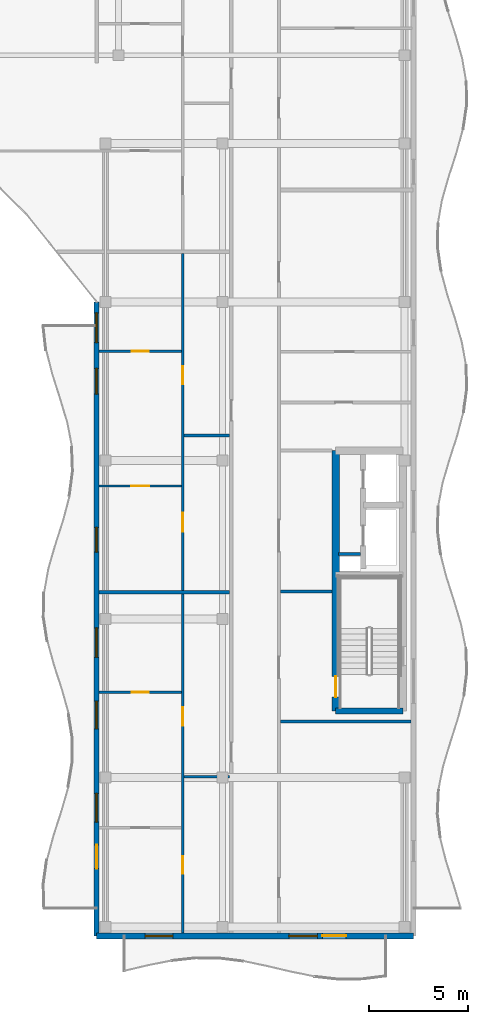
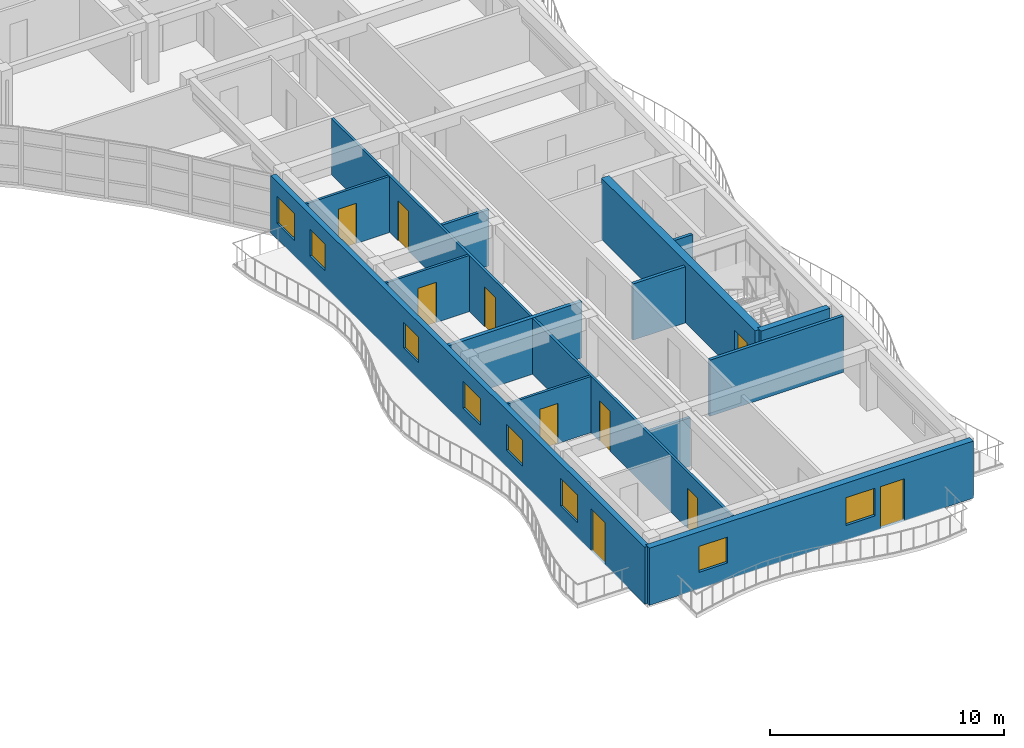
# One storey, part 41 of 68: 15 walls, 10 doors, 8 windows, 18 openings.
"""IFC4 building model written with IfcOpenShell, lengths in metres."""

from ifc_helpers import new_model, si_unit, direction, frame, frame_2d, origin, place, context, subcontext, project, spatial, rectangle, extrude, material, layer, layer_set, type_object, element, fill, save


model = new_model("IFC4")

# Units and contexts
model_context = context("Model", 3, precision=1e-05, world=origin(), true_north=direction((0.0, 1.0)))
body_context = subcontext(model_context, "Body", "Model", "MODEL_VIEW")
ifc_project = project(units=[si_unit("LENGTHUNIT", "METRE"), si_unit("AREAUNIT", "SQUARE_METRE"), si_unit("VOLUMEUNIT", "CUBIC_METRE"), si_unit("PLANEANGLEUNIT", "RADIAN"), si_unit("MASSUNIT", "GRAM", prefix="KILO")], contexts=[model_context])

# Site, building, storey
site_placement = place(None, origin())
site = spatial("IfcSite", under=ifc_project, at=site_placement, CompositionType="ELEMENT")
building_placement = place(site_placement, origin())
building = spatial("IfcBuilding", under=site, at=building_placement, Name="Keldmere Railside Commons", CompositionType="ELEMENT")
storey_placement = place(building_placement, frame((0.0, 0.0, 23.360107421875)))
storey = spatial("IfcBuildingStorey", under=building, at=storey_placement, Name="L07", CompositionType="ELEMENT", Elevation=23.360107421875)

# Wall
ifc_material_1 = material(Name="Acoustic Gypsum Board Partition", Category="gypsum")
ifc_layer_1 = layer(ifc_material_1, 0.179931640625, Name="Acoustic Demising Partition 180")
ifc_layer_set_1 = layer_set([ifc_layer_1], Name="Acoustic Gypsum Board Partition")
wall_type_1 = type_object("IfcWallType", Name="Acoustic Demising Partition 180", PredefinedType="PARTITIONING", material=ifc_layer_set_1)
wall_1_placement = place(storey_placement, frame((168.1298828125, 73.35009765625, 0.0), z_axis=(0.0, 0.0, 1.0), x_axis=(1.0, 0.0, 0.0)))
element("IfcWall", 1, at=wall_1_placement, inside=storey, type_object=wall_type_1, Name="IW-1 IW-L07-1690", PredefinedType="PARTITIONING", context=body_context, shape_type="SweptSolid", body=[
    extrude(rectangle(XDim=6.590087890625, YDim=0.179931640625, at=frame_2d((3.294921875, 0.0))), origin(), (0.0, 0.0, 1.0), 2.934814453125),
])

# Wall, openings, doors
ifc_layer_2 = layer(ifc_material_1, 0.1201171875, Name="Apartment Interior Partition 120")
ifc_layer_set_2 = layer_set([ifc_layer_2], Name="Acoustic Gypsum Board Partition")
wall_type_2 = type_object("IfcWallType", Name="Apartment Interior Partition 120", PredefinedType="PARTITIONING", material=ifc_layer_set_2)
wall_2_placement = place(storey_placement, frame((172.340087890625, 56.159912109375, 0.0), z_axis=(0.0, 0.0, 1.0), x_axis=(0.0, 1.0, 0.0)))
wall_2 = element("IfcWall", 2, at=wall_2_placement, inside=storey, type_object=wall_type_2, Name="IW-4 IW-L07-1692", PredefinedType="PARTITIONING", context=body_context, shape_type="SweptSolid", body=[
    extrude(rectangle(XDim=17.10009765625, YDim=0.1201171875, at=frame_2d((8.550048828125, 0.0))), origin(), (0.0, 0.0, 1.0), 2.934814453125),
])
opening_1_placement = place(wall_2_placement, frame((2.990478515625, 0.0, 0.0)))
opening_1 = element("IfcOpeningElement", 3, at=opening_1_placement, cuts=wall_2, Name="Opening ID-04", PredefinedType="OPENING", context=body_context, shape_type="SweptSolid", body=[
    extrude(rectangle(XDim=0.860107421875, YDim=2.10009765625, at=frame_2d((0.43017578125, 1.050048828125))), frame((0.0, 0.070068359375, 0.0), z_axis=(0.0, -1.0, 0.0), x_axis=(1.0, 0.0, 0.0)), (0.0, 0.0, 1.0), 0.14013671875),
])
opening_2_placement = place(wall_2_placement, frame((10.454345703125, 0.0, 0.0)))
opening_2 = element("IfcOpeningElement", 4, at=opening_2_placement, cuts=wall_2, Name="Opening ID-03", PredefinedType="OPENING", context=body_context, shape_type="SweptSolid", body=[
    extrude(rectangle(XDim=0.919921875, YDim=2.10009765625, at=frame_2d((0.4599609375, 1.050048828125))), frame((0.0, 0.070068359375, 0.0), z_axis=(0.0, -1.0, 0.0), x_axis=(1.0, 0.0, 0.0)), (0.0, 0.0, 1.0), 0.14013671875),
])
ifc_material_2 = material(Name="Engineered Oak Timber", Category="wood")
door_type_1 = type_object("IfcDoorType", Name="Apartment Bathroom Door 860x2100", OperationType="NOTDEFINED", PredefinedType="DOOR", material=ifc_material_2)
door_1_placement = place(opening_1_placement, origin())
door_1 = element("IfcDoor", 5, at=door_1_placement, inside=storey, type_object=door_type_1, Name="ID-04 IDR-L07-1533", OperationType="SINGLE_SWING_LEFT", OverallHeight=2.10009765625, OverallWidth=0.860107421875, PredefinedType="DOOR", context=body_context, shape_type="SweptSolid", body=[
    extrude(rectangle(XDim=0.860107421875, YDim=2.10009765625, at=frame_2d((0.43017578125, 1.050048828125))), frame((0.0, 0.02490234375, 0.0), z_axis=(0.0, -1.0, 0.0), x_axis=(1.0, 0.0, 0.0)), (0.0, 0.0, 1.0), 0.050048828125),
])
fill(opening_1, door_1)
door_type_2 = type_object("IfcDoorType", Name="Kitchen Pocket-Frame Swing Door 920x2100", OperationType="NOTDEFINED", PredefinedType="DOOR", material=ifc_material_2)
door_2_placement = place(opening_2_placement, origin())
door_2 = element("IfcDoor", 6, at=door_2_placement, inside=storey, type_object=door_type_2, Name="ID-03 IDR-L07-1534", OperationType="SINGLE_SWING_RIGHT", OverallHeight=2.10009765625, OverallWidth=0.919921875, PredefinedType="DOOR", context=body_context, shape_type="SweptSolid", body=[
    extrude(rectangle(XDim=0.919921875, YDim=2.10009765625, at=frame_2d((0.4599609375, 1.050048828125))), frame((0.0, 0.02490234375, 0.0), z_axis=(0.0, -1.0, 0.0), x_axis=(1.0, 0.0, 0.0)), (0.0, 0.0, 1.0), 0.050048828125),
])
fill(opening_2, door_2)

# Wall, opening, door
wall_3_placement = place(storey_placement, frame((168.1298828125, 68.300048828125, 0.0), z_axis=(0.0, 0.0, 1.0), x_axis=(1.0, 0.0, 0.0)))
wall_3 = element("IfcWall", 7, at=wall_3_placement, inside=storey, type_object=wall_type_2, Name="IW-4 IW-L07-1695", PredefinedType="PARTITIONING", context=body_context, shape_type="SweptSolid", body=[
    extrude(rectangle(XDim=4.150146484375, YDim=0.1201171875, at=frame_2d((2.0751953125, 0.0))), origin(), (0.0, 0.0, 1.0), 2.934814453125),
])
opening_3_placement = place(wall_3_placement, frame((1.635009765625, 0.0, 0.0)))
opening_3 = element("IfcOpeningElement", 8, at=opening_3_placement, cuts=wall_3, Name="Opening ID-02", PredefinedType="OPENING", context=body_context, shape_type="SweptSolid", body=[
    extrude(rectangle(XDim=0.8798828125, YDim=2.10009765625, at=frame_2d((0.43994140625, 1.050048828125))), frame((0.0, 0.070068359375, 0.0), z_axis=(0.0, -1.0, 0.0), x_axis=(1.0, 0.0, 0.0)), (0.0, 0.0, 1.0), 0.14013671875),
])
door_type_3 = type_object("IfcDoorType", Name="Secondary Bedroom Door 880x2100", OperationType="NOTDEFINED", PredefinedType="DOOR", material=ifc_material_2)
door_3_placement = place(opening_3_placement, origin())
door_3 = element("IfcDoor", 9, at=door_3_placement, inside=storey, type_object=door_type_3, Name="ID-02 IDR-L07-1537", OperationType="SINGLE_SWING_LEFT", OverallHeight=2.10009765625, OverallWidth=0.8798828125, PredefinedType="DOOR", context=body_context, shape_type="SweptSolid", body=[
    extrude(rectangle(XDim=0.8798828125, YDim=2.10009765625, at=frame_2d((0.43994140625, 1.050048828125))), frame((0.0, 0.02490234375, 0.0), z_axis=(0.0, -1.0, 0.0), x_axis=(1.0, 0.0, 0.0)), (0.0, 0.0, 1.0), 0.050048828125),
])
fill(opening_3, door_3)

# Wall, openings, doors
wall_4_placement = place(storey_placement, frame((172.340087890625, 73.43994140625, 0.0), z_axis=(0.0, 0.0, 1.0), x_axis=(0.0, 1.0, 0.0)))
wall_4 = element("IfcWall", 10, at=wall_4_placement, inside=storey, type_object=wall_type_2, Name="IW-4 IW-L07-1696", PredefinedType="PARTITIONING", context=body_context, shape_type="SweptSolid", body=[
    extrude(rectangle(XDim=17.010009765625, YDim=0.1201171875, at=frame_2d((8.5048828125, 0.0))), origin(), (0.0, 0.0, 1.0), 2.934814453125),
])
opening_4_placement = place(wall_4_placement, frame((2.9716796875, 0.0, 0.0)))
opening_4 = element("IfcOpeningElement", 11, at=opening_4_placement, cuts=wall_4, Name="Opening ID-05", PredefinedType="OPENING", context=body_context, shape_type="SweptSolid", body=[
    extrude(rectangle(XDim=0.93994140625, YDim=2.10009765625, at=frame_2d((0.469970703125, 1.050048828125))), frame((0.0, 0.070068359375, 0.0), z_axis=(0.0, -1.0, 0.0), x_axis=(1.0, 0.0, 0.0)), (0.0, 0.0, 1.0), 0.14013671875),
])
opening_5_placement = place(wall_4_placement, frame((10.393310546875, 0.0, 0.0)))
opening_5 = element("IfcOpeningElement", 12, at=opening_5_placement, cuts=wall_4, Name="Opening ID-03", PredefinedType="OPENING", context=body_context, shape_type="SweptSolid", body=[
    extrude(rectangle(XDim=0.919921875, YDim=2.10009765625, at=frame_2d((0.4599609375, 1.050048828125))), frame((0.0, 0.070068359375, 0.0), z_axis=(0.0, -1.0, 0.0), x_axis=(1.0, 0.0, 0.0)), (0.0, 0.0, 1.0), 0.14013671875),
])
door_type_4 = type_object("IfcDoorType", Name="Accessible Bathroom Door 940x2100", OperationType="NOTDEFINED", PredefinedType="DOOR", material=ifc_material_2)
door_4_placement = place(opening_4_placement, origin())
door_4 = element("IfcDoor", 13, at=door_4_placement, inside=storey, type_object=door_type_4, Name="ID-05 IDR-L07-1538", OperationType="SINGLE_SWING_RIGHT", OverallHeight=2.10009765625, OverallWidth=0.93994140625, PredefinedType="DOOR", context=body_context, shape_type="SweptSolid", body=[
    extrude(rectangle(XDim=0.93994140625, YDim=2.10009765625, at=frame_2d((0.469970703125, 1.050048828125))), frame((0.0, 0.02490234375, 0.0), z_axis=(0.0, -1.0, 0.0), x_axis=(1.0, 0.0, 0.0)), (0.0, 0.0, 1.0), 0.050048828125),
])
fill(opening_4, door_4)
door_5_placement = place(opening_5_placement, origin())
door_5 = element("IfcDoor", 14, at=door_5_placement, inside=storey, type_object=door_type_2, Name="ID-03 IDR-L07-1539", OperationType="SINGLE_SWING_LEFT", OverallHeight=2.10009765625, OverallWidth=0.919921875, PredefinedType="DOOR", context=body_context, shape_type="SweptSolid", body=[
    extrude(rectangle(XDim=0.919921875, YDim=2.10009765625, at=frame_2d((0.4599609375, 1.050048828125))), frame((0.0, 0.02490234375, 0.0), z_axis=(0.0, -1.0, 0.0), x_axis=(1.0, 0.0, 0.0)), (0.0, 0.0, 1.0), 0.050048828125),
])
fill(opening_5, door_5)

# Wall, opening, door
wall_5_placement = place(storey_placement, frame((168.1298828125, 78.7099609375, 0.0), z_axis=(0.0, 0.0, 1.0), x_axis=(1.0, 0.0, 0.0)))
wall_5 = element("IfcWall", 15, at=wall_5_placement, inside=storey, type_object=wall_type_2, Name="IW-4 IW-L07-1698", PredefinedType="PARTITIONING", context=body_context, shape_type="SweptSolid", body=[
    extrude(rectangle(XDim=4.150146484375, YDim=0.1201171875, at=frame_2d((2.0751953125, 0.0))), origin(), (0.0, 0.0, 1.0), 2.934814453125),
])
opening_6_placement = place(wall_5_placement, frame((1.625, 0.0, 0.0)))
opening_6 = element("IfcOpeningElement", 16, at=opening_6_placement, cuts=wall_5, Name="Opening ID-01", PredefinedType="OPENING", context=body_context, shape_type="SweptSolid", body=[
    extrude(rectangle(XDim=0.89990234375, YDim=2.10009765625, at=frame_2d((0.449951171875, 1.050048828125))), frame((0.0, 0.070068359375, 0.0), z_axis=(0.0, -1.0, 0.0), x_axis=(1.0, 0.0, 0.0)), (0.0, 0.0, 1.0), 0.14013671875),
])
door_type_5 = type_object("IfcDoorType", Name="Primary Bedroom Door 900x2100", OperationType="NOTDEFINED", PredefinedType="DOOR", material=ifc_material_2)
door_6_placement = place(opening_6_placement, origin())
door_6 = element("IfcDoor", 17, at=door_6_placement, inside=storey, type_object=door_type_5, Name="ID-01 IDR-L07-1541", OperationType="SINGLE_SWING_LEFT", OverallHeight=2.10009765625, OverallWidth=0.89990234375, PredefinedType="DOOR", context=body_context, shape_type="SweptSolid", body=[
    extrude(rectangle(XDim=0.89990234375, YDim=2.10009765625, at=frame_2d((0.449951171875, 1.050048828125))), frame((0.0, 0.02490234375, 0.0), z_axis=(0.0, -1.0, 0.0), x_axis=(1.0, 0.0, 0.0)), (0.0, 0.0, 1.0), 0.050048828125),
])
fill(opening_6, door_6)

wall_6_placement = place(storey_placement, frame((168.1298828125, 85.52001953125, 0.0), z_axis=(0.0, 0.0, 1.0), x_axis=(1.0, 0.0, 0.0)))
wall_6 = element("IfcWall", 18, at=wall_6_placement, inside=storey, type_object=wall_type_2, Name="IW-4 IW-L07-1699", PredefinedType="PARTITIONING", context=body_context, shape_type="SweptSolid", body=[
    extrude(rectangle(XDim=4.150146484375, YDim=0.1201171875, at=frame_2d((2.0751953125, 0.0))), origin(), (0.0, 0.0, 1.0), 2.934814453125),
])
opening_7_placement = place(wall_6_placement, frame((1.635009765625, 0.0, 0.0)))
opening_7 = element("IfcOpeningElement", 19, at=opening_7_placement, cuts=wall_6, Name="Opening ID-02", PredefinedType="OPENING", context=body_context, shape_type="SweptSolid", body=[
    extrude(rectangle(XDim=0.8798828125, YDim=2.10009765625, at=frame_2d((0.43994140625, 1.050048828125))), frame((0.0, 0.070068359375, 0.0), z_axis=(0.0, -1.0, 0.0), x_axis=(1.0, 0.0, 0.0)), (0.0, 0.0, 1.0), 0.14013671875),
])
door_7_placement = place(opening_7_placement, origin())
door_7 = element("IfcDoor", 20, at=door_7_placement, inside=storey, type_object=door_type_3, Name="ID-02 IDR-L07-1542", OperationType="SINGLE_SWING_RIGHT", OverallHeight=2.10009765625, OverallWidth=0.8798828125, PredefinedType="DOOR", context=body_context, shape_type="SweptSolid", body=[
    extrude(rectangle(XDim=0.8798828125, YDim=2.10009765625, at=frame_2d((0.43994140625, 1.050048828125))), frame((0.0, 0.02490234375, 0.0), z_axis=(0.0, -1.0, 0.0), x_axis=(1.0, 0.0, 0.0)), (0.0, 0.0, 1.0), 0.050048828125),
])
fill(opening_7, door_7)

ifc_material_3 = material(Name="Concrete H-40 (C40/50)", Category="concrete")
ifc_layer_3 = layer(ifc_material_3, 0.3798828125, Name="Core Shear Wall 380")
ifc_layer_set_3 = layer_set([ifc_layer_3], Name="Concrete H-40 (C40/50)")
wall_type_3 = type_object("IfcWallType", Name="Core Shear Wall 380", PredefinedType="SHEAR", material=ifc_layer_set_3)
wall_7_placement = place(storey_placement, frame((180.06005859375, 67.35009765625, 0.0), z_axis=(0.0, 0.0, 1.0), x_axis=(0.0, 1.0, 0.0)))
wall_7 = element("IfcWall", 21, at=wall_7_placement, inside=storey, type_object=wall_type_3, Name="CW-CORE COREAW-L07-0792", PredefinedType="SHEAR", context=body_context, shape_type="SweptSolid", body=[
    extrude(rectangle(XDim=13.14990234375, YDim=0.3798828125, at=frame_2d((6.574951171875, 0.0))), origin(), (0.0, 0.0, 1.0), 3.199951171875),
])
opening_8_placement = place(wall_7_placement, frame((0.699951171875, 0.0, 0.0)))
opening_8 = element("IfcOpeningElement", 22, at=opening_8_placement, cuts=wall_7, Name="Opening FD-1", PredefinedType="OPENING", context=body_context, shape_type="SweptSolid", body=[
    extrude(rectangle(XDim=1.050048828125, YDim=2.14990234375, at=frame_2d((0.52490234375, 1.074951171875))), frame((0.0, 0.199951171875, 0.0), z_axis=(0.0, -1.0, 0.0), x_axis=(1.0, 0.0, 0.0)), (0.0, 0.0, 1.0), 0.39990234375),
])
ifc_material_4 = material(Name="Steel F-24 (S235)", Category="steel")
door_type_6 = type_object("IfcDoorType", Name="Stair Core Fire Door 1050x2150", OperationType="NOTDEFINED", PredefinedType="DOOR", material=ifc_material_4)
door_8_placement = place(opening_8_placement, origin())
door_8 = element("IfcDoor", 23, at=door_8_placement, inside=storey, type_object=door_type_6, Name="FD-1 A1 L07", OperationType="SINGLE_SWING_LEFT", OverallHeight=2.14990234375, OverallWidth=1.050048828125, PredefinedType="DOOR", context=body_context, shape_type="SweptSolid", body=[
    extrude(rectangle(XDim=1.050048828125, YDim=2.14990234375, at=frame_2d((0.52490234375, 1.074951171875))), frame((0.0, 0.02490234375, 0.0), z_axis=(0.0, -1.0, 0.0), x_axis=(1.0, 0.0, 0.0)), (0.0, 0.0, 1.0), 0.050048828125),
])
fill(opening_8, door_8)

# Wall, openings, door, windows
ifc_material_5 = material(Name="Concrete H-35 (C35/45)", Category="concrete")
ifc_layer_4 = layer(ifc_material_5, 0.320068359375, Name="Exterior Shear Wall 320")
ifc_layer_set_4 = layer_set([ifc_layer_4], Name="Concrete H-35 (C35/45)")
wall_type_4 = type_object("IfcWallType", Name="Exterior Shear Wall 320", PredefinedType="SHEAR", material=ifc_layer_set_4)
wall_8_placement = place(storey_placement, frame((184.0, 56.0, 0.0), z_axis=(0.0, 0.0, 1.0), x_axis=(-1.0, 0.0, 0.0)))
wall_8 = element("IfcWall", 24, at=wall_8_placement, inside=storey, type_object=wall_type_4, Name="ESW-2 EXTA-L07-0924", PredefinedType="SHEAR", context=body_context, shape_type="SweptSolid", body=[
    extrude(rectangle(XDim=16.0, YDim=0.320068359375, at=frame_2d((8.0, 0.0))), origin(), (0.0, 0.0, 1.0), 2.97998046875),
])
opening_9_placement = place(wall_8_placement, frame((3.39990234375, 0.0, 0.0)))
opening_9 = element("IfcOpeningElement", 25, at=opening_9_placement, cuts=wall_8, Name="Opening BD-01", PredefinedType="OPENING", context=body_context, shape_type="SweptSolid", body=[
    extrude(rectangle(XDim=1.199951171875, YDim=2.199951171875, at=frame_2d((0.60009765625, 1.10009765625))), frame((0.0, 0.169921875, 0.0), z_axis=(0.0, -1.0, 0.0), x_axis=(1.0, 0.0, 0.0)), (0.0, 0.0, 1.0), 0.340087890625),
])
opening_10_placement = place(wall_8_placement, frame((4.85009765625, 0.0, 0.77001953125)))
opening_10 = element("IfcOpeningElement", 26, at=opening_10_placement, cuts=wall_8, Name="Opening WN-24", PredefinedType="OPENING", context=body_context, shape_type="SweptSolid", body=[
    extrude(rectangle(XDim=1.449951171875, YDim=1.449951171875, at=frame_2d((0.72509765625, 0.72509765625))), frame((0.0, 0.169921875, 0.0), z_axis=(0.0, -1.0, 0.0), x_axis=(1.0, 0.0, 0.0)), (0.0, 0.0, 1.0), 0.340087890625),
])
opening_11_placement = place(wall_8_placement, frame((12.14990234375, 0.0, 0.8701171875)))
opening_11 = element("IfcOpeningElement", 27, at=opening_11_placement, cuts=wall_8, Name="Opening WN-08", PredefinedType="OPENING", context=body_context, shape_type="SweptSolid", body=[
    extrude(rectangle(XDim=1.39990234375, YDim=1.35009765625, at=frame_2d((0.699951171875, 0.675048828125))), frame((0.0, 0.169921875, 0.0), z_axis=(0.0, -1.0, 0.0), x_axis=(1.0, 0.0, 0.0)), (0.0, 0.0, 1.0), 0.340087890625),
])
ifc_material_6 = material(Name="Thermally Broken Aluminium", Category="aluminium")
door_type_7 = type_object("IfcDoorType", Name="Apartment Living Wave-Balcony Glazed Door 1200x2200", OperationType="NOTDEFINED", PredefinedType="DOOR", material=ifc_material_6)
door_9_placement = place(opening_9_placement, origin())
door_9 = element("IfcDoor", 28, at=door_9_placement, inside=storey, type_object=door_type_7, Name="BD-01 DR-L07-0256", OperationType="SINGLE_SWING_RIGHT", OverallHeight=2.199951171875, OverallWidth=1.199951171875, PredefinedType="DOOR", context=body_context, shape_type="SweptSolid", body=[
    extrude(rectangle(XDim=1.199951171875, YDim=2.199951171875, at=frame_2d((0.60009765625, 1.10009765625))), frame((0.0, 0.02490234375, 0.0), z_axis=(0.0, -1.0, 0.0), x_axis=(1.0, 0.0, 0.0)), (0.0, 0.0, 1.0), 0.050048828125),
])
fill(opening_9, door_9)
ifc_material_7 = material(Name="Low-E Insulated Double Glazing", Category="glass")
window_type_1 = type_object("IfcWindowType", Name="Primary Bedroom East/West Window 1400x1350", PartitioningType="SINGLE_PANEL", PredefinedType="WINDOW", material=ifc_material_7)
window_1_placement = place(opening_11_placement, origin())
window_1 = element("IfcWindow", 29, at=window_1_placement, inside=storey, type_object=window_type_1, Name="WN-08 WIN-L07-0702", OverallHeight=1.35009765625, OverallWidth=1.39990234375, PartitioningType="SINGLE_PANEL", PredefinedType="WINDOW", context=body_context, shape_type="SweptSolid", body=[
    extrude(rectangle(XDim=1.39990234375, YDim=1.35009765625, at=frame_2d((0.699951171875, 0.675048828125))), frame((0.0, 0.030029296875, 0.0), z_axis=(0.0, -1.0, 0.0), x_axis=(1.0, 0.0, 0.0)), (0.0, 0.0, 1.0), 0.06005859375),
])
fill(opening_11, window_1)
window_type_2 = type_object("IfcWindowType", Name="Setback Terrace Bedroom Window 1450x1450", PartitioningType="SINGLE_PANEL", PredefinedType="WINDOW", material=ifc_material_7)
window_2_placement = place(opening_10_placement, origin())
window_2 = element("IfcWindow", 30, at=window_2_placement, inside=storey, type_object=window_type_2, Name="WN-24 WIN-L07-0701", OverallHeight=1.449951171875, OverallWidth=1.449951171875, PartitioningType="SINGLE_PANEL", PredefinedType="WINDOW", context=body_context, shape_type="SweptSolid", body=[
    extrude(rectangle(XDim=1.449951171875, YDim=1.449951171875, at=frame_2d((0.72509765625, 0.72509765625))), frame((0.0, 0.030029296875, 0.0), z_axis=(0.0, -1.0, 0.0), x_axis=(1.0, 0.0, 0.0)), (0.0, 0.0, 1.0), 0.06005859375),
])
fill(opening_10, window_2)

# Walls
ifc_layer_5 = layer(ifc_material_5, 0.300048828125, Name="Interior Shear Wall 300")
ifc_layer_set_5 = layer_set([ifc_layer_5], Name="Concrete H-35 (C35/45)")
wall_type_5 = type_object("IfcWallType", Name="Interior Shear Wall 300", PredefinedType="SHEAR", material=ifc_layer_set_5)
wall_9_placement = place(storey_placement, frame((183.469970703125, 67.35009765625, 0.0), z_axis=(0.0, 0.0, 1.0), x_axis=(-1.0, 0.0, 0.0)))
element("IfcWall", 31, at=wall_9_placement, inside=storey, type_object=wall_type_5, Name="ISW-2 COREAS-L07-0795", PredefinedType="SHEAR", context=body_context, shape_type="SweptSolid", body=[
    extrude(rectangle(XDim=3.409912109375, YDim=0.300048828125, at=frame_2d((1.705078125, 0.0))), origin(), (0.0, 0.0, 1.0), 3.199951171875),
])
ifc_layer_6 = layer(ifc_material_1, 0.14990234375, Name="Lobby Rated Partition 150")
ifc_layer_set_6 = layer_set([ifc_layer_6], Name="Acoustic Gypsum Board Partition")
wall_type_6 = type_object("IfcWallType", Name="Lobby Rated Partition 150", PredefinedType="PARTITIONING", material=ifc_layer_set_6)
wall_10_placement = place(storey_placement, frame((180.199951171875, 75.280029296875, 0.0), z_axis=(0.0, 0.0, 1.0), x_axis=(1.0, 0.0, 0.0)))
element("IfcWall", 32, at=wall_10_placement, inside=storey, type_object=wall_type_6, Name="IW-3 RSRNA-L07-0799", PredefinedType="PARTITIONING", context=body_context, shape_type="SweptSolid", body=[
    extrude(rectangle(XDim=1.130126953125, YDim=0.14990234375, at=frame_2d((0.56494140625, 0.0))), origin(), (0.0, 0.0, 1.0), 2.949951171875),
])
wall_11_placement = place(storey_placement, frame((177.280029296875, 66.820068359375, 0.0), z_axis=(0.0, 0.0, 1.0), x_axis=(1.0, 0.0, 0.0)))
element("IfcWall", 33, at=wall_11_placement, inside=storey, type_object=wall_type_6, Name="IW-3 IW-L07-1679", PredefinedType="PARTITIONING", context=body_context, shape_type="SweptSolid", body=[
    extrude(rectangle(XDim=6.590087890625, YDim=0.14990234375, at=frame_2d((3.294921875, 0.0))), origin(), (0.0, 0.0, 1.0), 2.934814453125),
])
wall_12_placement = place(storey_placement, frame((177.280029296875, 73.3798828125, 0.0), z_axis=(0.0, 0.0, 1.0), x_axis=(1.0, 0.0, 0.0)))
element("IfcWall", 34, at=wall_12_placement, inside=storey, type_object=wall_type_6, Name="IW-3 IW-L07-1680", PredefinedType="PARTITIONING", context=body_context, shape_type="SweptSolid", body=[
    extrude(rectangle(XDim=2.590087890625, YDim=0.14990234375, at=frame_2d((1.294921875, 0.0))), origin(), (0.0, 0.0, 1.0), 2.934814453125),
])

# Wall, openings, door, windows
ifc_material_8 = material(Name="Terracotta Brick Masonry", Category="masonry")
ifc_layer_7 = layer(ifc_material_8, 0.260009765625, Name="Terracotta Cavity Wall 260")
ifc_layer_set_7 = layer_set([ifc_layer_7], Name="Terracotta Brick Masonry")
wall_type_7 = type_object("IfcWallType", Name="Terracotta Cavity Wall 260", PredefinedType="SOLIDWALL", material=ifc_layer_set_7)
wall_13_placement = place(storey_placement, frame((168.0, 56.0, 0.0), z_axis=(0.0, 0.0, 1.0), x_axis=(0.0, 1.0, 0.0)))
wall_13 = element("IfcWall", 35, at=wall_13_placement, inside=storey, type_object=wall_type_7, Name="EW-1 EXTA-L07-0929", PredefinedType="SOLIDWALL", context=body_context, shape_type="SweptSolid", body=[
    extrude(rectangle(XDim=32.0, YDim=0.260009765625, at=frame_2d((16.0, 0.0))), origin(), (0.0, 0.0, 1.0), 2.97998046875),
])
opening_12_placement = place(wall_13_placement, frame((3.39990234375, 0.0, 0.0)))
opening_12 = element("IfcOpeningElement", 36, at=opening_12_placement, cuts=wall_13, Name="Opening BD-01", PredefinedType="OPENING", context=body_context, shape_type="SweptSolid", body=[
    extrude(rectangle(XDim=1.199951171875, YDim=2.199951171875, at=frame_2d((0.60009765625, 1.10009765625))), frame((0.0, 0.139892578125, 0.0), z_axis=(0.0, -1.0, 0.0), x_axis=(1.0, 0.0, 0.0)), (0.0, 0.0, 1.0), 0.280029296875),
])
opening_13_placement = place(wall_13_placement, frame((5.75, 0.0, 0.77001953125)))
opening_13 = element("IfcOpeningElement", 37, at=opening_13_placement, cuts=wall_13, Name="Opening WN-24", PredefinedType="OPENING", context=body_context, shape_type="SweptSolid", body=[
    extrude(rectangle(XDim=1.449951171875, YDim=1.449951171875, at=frame_2d((0.72509765625, 0.72509765625))), frame((0.0, 0.139892578125, 0.0), z_axis=(0.0, -1.0, 0.0), x_axis=(1.0, 0.0, 0.0)), (0.0, 0.0, 1.0), 0.280029296875),
])
opening_14_placement = place(wall_13_placement, frame((10.449951171875, 0.0, 0.8701171875)))
opening_14 = element("IfcOpeningElement", 38, at=opening_14_placement, cuts=wall_13, Name="Opening WN-08", PredefinedType="OPENING", context=body_context, shape_type="SweptSolid", body=[
    extrude(rectangle(XDim=1.39990234375, YDim=1.35009765625, at=frame_2d((0.699951171875, 0.675048828125))), frame((0.0, 0.139892578125, 0.0), z_axis=(0.0, -1.0, 0.0), x_axis=(1.0, 0.0, 0.0)), (0.0, 0.0, 1.0), 0.280029296875),
])
opening_15_placement = place(wall_13_placement, frame((19.375, 0.0, 0.8701171875)))
opening_15 = element("IfcOpeningElement", 39, at=opening_15_placement, cuts=wall_13, Name="Opening WN-09", PredefinedType="OPENING", context=body_context, shape_type="SweptSolid", body=[
    extrude(rectangle(XDim=1.25, YDim=1.35009765625, at=frame_2d((0.625, 0.675048828125))), frame((0.0, 0.139892578125, 0.0), z_axis=(0.0, -1.0, 0.0), x_axis=(1.0, 0.0, 0.0)), (0.0, 0.0, 1.0), 0.280029296875),
])
opening_16_placement = place(wall_13_placement, frame((27.35009765625, 0.0, 0.820068359375)))
opening_16 = element("IfcOpeningElement", 40, at=opening_16_placement, cuts=wall_13, Name="Opening WN-10", PredefinedType="OPENING", context=body_context, shape_type="SweptSolid", body=[
    extrude(rectangle(XDim=1.300048828125, YDim=1.39990234375, at=frame_2d((0.64990234375, 0.699951171875))), frame((0.0, 0.139892578125, 0.0), z_axis=(0.0, -1.0, 0.0), x_axis=(1.0, 0.0, 0.0)), (0.0, 0.0, 1.0), 0.280029296875),
])
opening_17_placement = place(wall_13_placement, frame((14.054931640625, 0.0, 0.820068359375)))
opening_17 = element("IfcOpeningElement", 41, at=opening_17_placement, cuts=wall_13, Name="Opening WN-06", PredefinedType="OPENING", context=body_context, shape_type="SweptSolid", body=[
    extrude(rectangle(XDim=1.5, YDim=1.39990234375, at=frame_2d((0.75, 0.699951171875))), frame((0.0, 0.139892578125, 0.0), z_axis=(0.0, -1.0, 0.0), x_axis=(1.0, 0.0, 0.0)), (0.0, 0.0, 1.0), 0.280029296875),
])
opening_18_placement = place(wall_13_placement, frame((29.945068359375, 0.0, 0.820068359375)))
opening_18 = element("IfcOpeningElement", 42, at=opening_18_placement, cuts=wall_13, Name="Opening WN-06", PredefinedType="OPENING", context=body_context, shape_type="SweptSolid", body=[
    extrude(rectangle(XDim=1.5, YDim=1.39990234375, at=frame_2d((0.75, 0.699951171875))), frame((0.0, 0.139892578125, 0.0), z_axis=(0.0, -1.0, 0.0), x_axis=(1.0, 0.0, 0.0)), (0.0, 0.0, 1.0), 0.280029296875),
])
door_10_placement = place(opening_12_placement, origin())
door_10 = element("IfcDoor", 43, at=door_10_placement, inside=storey, type_object=door_type_7, Name="BD-01 DR-L07-0261", OperationType="SINGLE_SWING_LEFT", OverallHeight=2.199951171875, OverallWidth=1.199951171875, PredefinedType="DOOR", context=body_context, shape_type="SweptSolid", body=[
    extrude(rectangle(XDim=1.199951171875, YDim=2.199951171875, at=frame_2d((0.60009765625, 1.10009765625))), frame((0.0, 0.02490234375, 0.0), z_axis=(0.0, -1.0, 0.0), x_axis=(1.0, 0.0, 0.0)), (0.0, 0.0, 1.0), 0.050048828125),
])
fill(opening_12, door_10)
window_3_placement = place(opening_14_placement, origin())
window_3 = element("IfcWindow", 44, at=window_3_placement, inside=storey, type_object=window_type_1, Name="WN-08 WIN-L07-0717", OverallHeight=1.35009765625, OverallWidth=1.39990234375, PartitioningType="SINGLE_PANEL", PredefinedType="WINDOW", context=body_context, shape_type="SweptSolid", body=[
    extrude(rectangle(XDim=1.39990234375, YDim=1.35009765625, at=frame_2d((0.699951171875, 0.675048828125))), frame((0.0, 0.030029296875, 0.0), z_axis=(0.0, -1.0, 0.0), x_axis=(1.0, 0.0, 0.0)), (0.0, 0.0, 1.0), 0.06005859375),
])
fill(opening_14, window_3)
window_type_3 = type_object("IfcWindowType", Name="Primary Bedroom North Window 1500x1400", PartitioningType="SINGLE_PANEL", PredefinedType="WINDOW", material=ifc_material_7)
window_4_placement = place(opening_17_placement, origin())
window_4 = element("IfcWindow", 45, at=window_4_placement, inside=storey, type_object=window_type_3, Name="WN-06 WIN-L07-9064", OverallHeight=1.39990234375, OverallWidth=1.5, PartitioningType="SINGLE_PANEL", PredefinedType="WINDOW", context=body_context, shape_type="SweptSolid", body=[
    extrude(rectangle(XDim=1.5, YDim=1.39990234375, at=frame_2d((0.75, 0.699951171875))), frame((0.0, 0.030029296875, 0.0), z_axis=(0.0, -1.0, 0.0), x_axis=(1.0, 0.0, 0.0)), (0.0, 0.0, 1.0), 0.06005859375),
])
fill(opening_17, window_4)
window_5_placement = place(opening_18_placement, origin())
window_5 = element("IfcWindow", 46, at=window_5_placement, inside=storey, type_object=window_type_3, Name="WN-06 WIN-L07-9065", OverallHeight=1.39990234375, OverallWidth=1.5, PartitioningType="SINGLE_PANEL", PredefinedType="WINDOW", context=body_context, shape_type="SweptSolid", body=[
    extrude(rectangle(XDim=1.5, YDim=1.39990234375, at=frame_2d((0.75, 0.699951171875))), frame((0.0, 0.030029296875, 0.0), z_axis=(0.0, -1.0, 0.0), x_axis=(1.0, 0.0, 0.0)), (0.0, 0.0, 1.0), 0.06005859375),
])
fill(opening_18, window_5)
window_type_4 = type_object("IfcWindowType", Name="Secondary Bedroom Court Window 1300x1400", PartitioningType="SINGLE_PANEL", PredefinedType="WINDOW", material=ifc_material_7)
window_6_placement = place(opening_16_placement, origin())
window_6 = element("IfcWindow", 47, at=window_6_placement, inside=storey, type_object=window_type_4, Name="WN-10 WIN-L07-0719", OverallHeight=1.39990234375, OverallWidth=1.300048828125, PartitioningType="SINGLE_PANEL", PredefinedType="WINDOW", context=body_context, shape_type="SweptSolid", body=[
    extrude(rectangle(XDim=1.300048828125, YDim=1.39990234375, at=frame_2d((0.64990234375, 0.699951171875))), frame((0.0, 0.030029296875, 0.0), z_axis=(0.0, -1.0, 0.0), x_axis=(1.0, 0.0, 0.0)), (0.0, 0.0, 1.0), 0.06005859375),
])
fill(opening_16, window_6)
window_type_5 = type_object("IfcWindowType", Name="Secondary Bedroom Window 1250x1350", PartitioningType="SINGLE_PANEL", PredefinedType="WINDOW", material=ifc_material_7)
window_7_placement = place(opening_15_placement, origin())
window_7 = element("IfcWindow", 48, at=window_7_placement, inside=storey, type_object=window_type_5, Name="WN-09 WIN-L07-0718", OverallHeight=1.35009765625, OverallWidth=1.25, PartitioningType="SINGLE_PANEL", PredefinedType="WINDOW", context=body_context, shape_type="SweptSolid", body=[
    extrude(rectangle(XDim=1.25, YDim=1.35009765625, at=frame_2d((0.625, 0.675048828125))), frame((0.0, 0.030029296875, 0.0), z_axis=(0.0, -1.0, 0.0), x_axis=(1.0, 0.0, 0.0)), (0.0, 0.0, 1.0), 0.06005859375),
])
fill(opening_15, window_7)
window_8_placement = place(opening_13_placement, origin())
window_8 = element("IfcWindow", 49, at=window_8_placement, inside=storey, type_object=window_type_2, Name="WN-24 WIN-L07-0716", OverallHeight=1.449951171875, OverallWidth=1.449951171875, PartitioningType="SINGLE_PANEL", PredefinedType="WINDOW", context=body_context, shape_type="SweptSolid", body=[
    extrude(rectangle(XDim=1.449951171875, YDim=1.449951171875, at=frame_2d((0.72509765625, 0.72509765625))), frame((0.0, 0.030029296875, 0.0), z_axis=(0.0, -1.0, 0.0), x_axis=(1.0, 0.0, 0.0)), (0.0, 0.0, 1.0), 0.06005859375),
])
fill(opening_13, window_8)

# Walls
ifc_layer_8 = layer(ifc_material_1, 0.139892578125, Name="Wet-Room Sanitary Partition 140")
ifc_layer_set_8 = layer_set([ifc_layer_8], Name="Acoustic Gypsum Board Partition")
wall_type_8 = type_object("IfcWallType", Name="Wet-Room Sanitary Partition 140", PredefinedType="PARTITIONING", material=ifc_layer_set_8)
wall_14_placement = place(storey_placement, frame((172.39990234375, 64.030029296875, 0.0), z_axis=(0.0, 0.0, 1.0), x_axis=(1.0, 0.0, 0.0)))
element("IfcWall", 50, at=wall_14_placement, inside=storey, type_object=wall_type_8, Name="IW-5 IW-L07-1693", PredefinedType="PARTITIONING", context=body_context, shape_type="SweptSolid", body=[
    extrude(rectangle(XDim=2.320068359375, YDim=0.139892578125, at=frame_2d((1.16015625, 0.0))), origin(), (0.0, 0.0, 1.0), 2.52978515625),
])
wall_15_placement = place(storey_placement, frame((172.39990234375, 81.260009765625, 0.0), z_axis=(0.0, 0.0, 1.0), x_axis=(1.0, 0.0, 0.0)))
element("IfcWall", 51, at=wall_15_placement, inside=storey, type_object=wall_type_8, Name="IW-5 IW-L07-1697", PredefinedType="PARTITIONING", context=body_context, shape_type="SweptSolid", body=[
    extrude(rectangle(XDim=2.320068359375, YDim=0.139892578125, at=frame_2d((1.16015625, 0.0))), origin(), (0.0, 0.0, 1.0), 2.934814453125),
])

save(model, "model.ifc")
